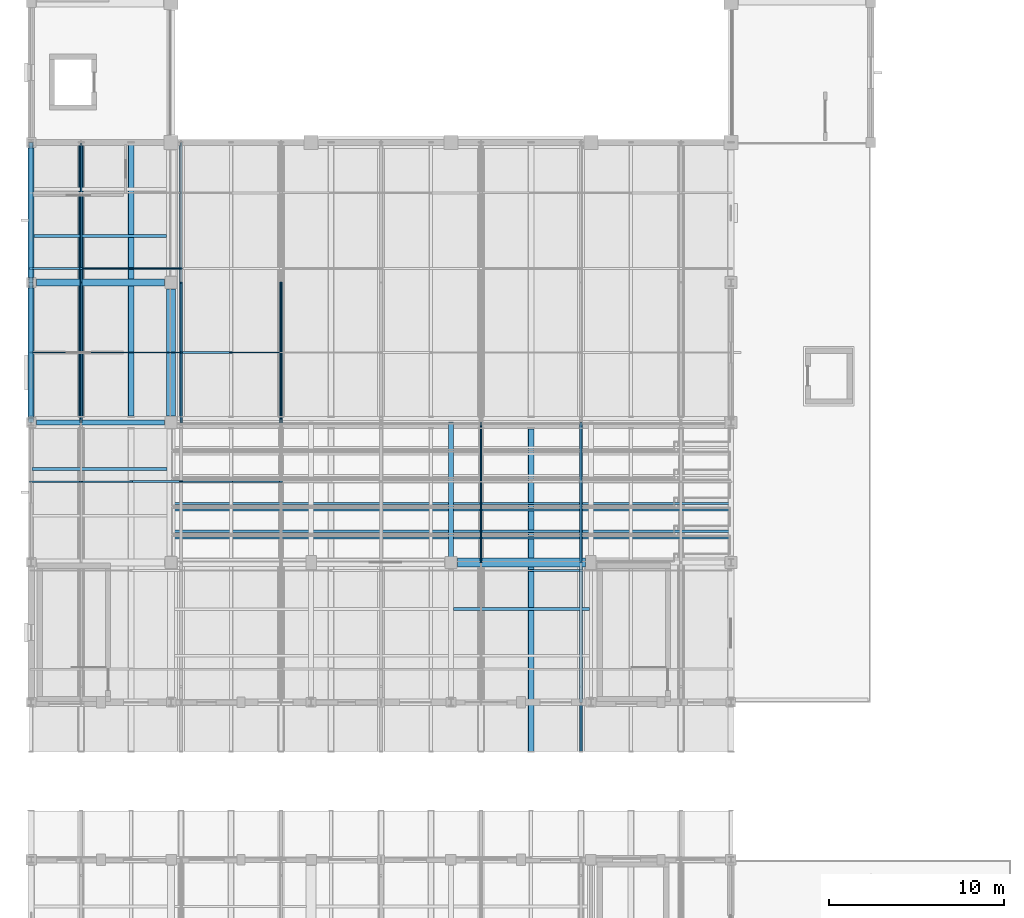
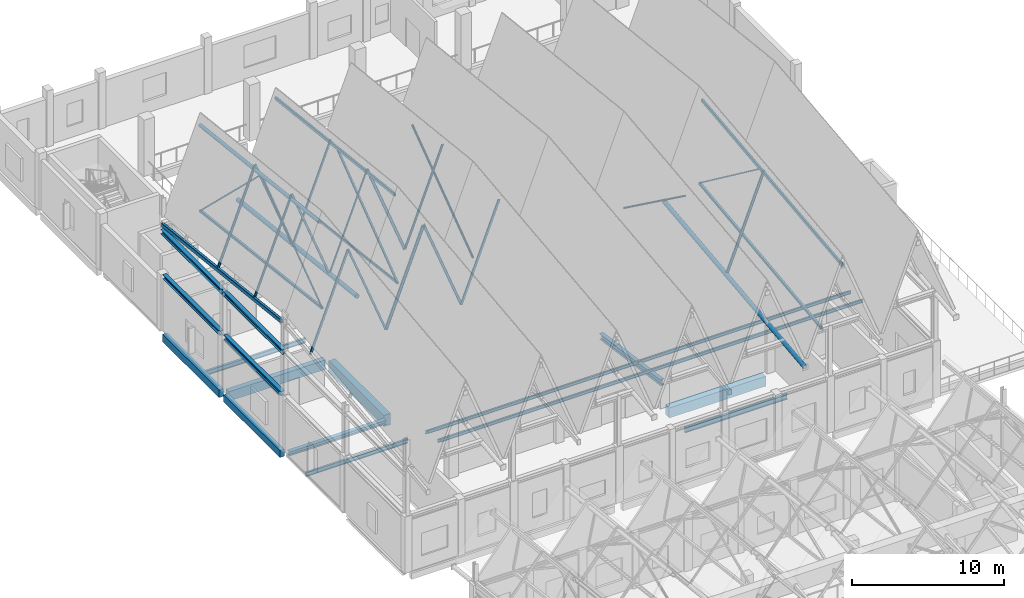
# One storey, part 16 of 77: 24 beams, 23 members.
"""IFC4 building model written with IfcOpenShell, lengths in metres."""

from ifc_helpers import new_model, si_unit, direction, frame, origin, origin_2d, place, context, subcontext, project, spatial, rectangle, hollow_rectangle, hollow_circle, i_section, extrude, material, material_profile, profile_set, type_object, element, save


model = new_model("IFC4")

# Units and contexts
model_context = context("Model", 3, precision=1e-05, world=origin(), true_north=direction((0.0, 1.0)))
body_context = subcontext(model_context, "Body", "Model", "MODEL_VIEW")
ifc_project = project(units=[si_unit("LENGTHUNIT", "METRE"), si_unit("AREAUNIT", "SQUARE_METRE"), si_unit("VOLUMEUNIT", "CUBIC_METRE"), si_unit("PLANEANGLEUNIT", "RADIAN"), si_unit("MASSUNIT", "GRAM", prefix="KILO")], contexts=[model_context])

# Site, building, storey
site_placement = place(None, origin())
site = spatial("IfcSite", under=ifc_project, at=site_placement, CompositionType="ELEMENT")
building_placement = place(site_placement, origin())
building = spatial("IfcBuilding", under=site, at=building_placement, Name="Luwemba Playhouse", CompositionType="ELEMENT")
storey_placement = place(building_placement, frame((0.0, 0.0, 9.300048828125)))
storey = spatial("IfcBuildingStorey", under=building, at=storey_placement, Name="L02", CompositionType="ELEMENT", Elevation=9.300048828125)

# Beams
ifc_material_1 = material(Name="Concrete C40/50", Category="concrete")
ifc_material_profile_1 = material_profile(ifc_material_1, rectangle(XDim=0.39990234375, YDim=0.75, at=origin_2d()))
ifc_profile_set_1 = profile_set([ifc_material_profile_1], Name="Concrete C40/50")
beam_type_1 = type_object("IfcBeamType", Name="BM-RB03", PredefinedType="BEAM", material=ifc_profile_set_1)
beam_1_placement = place(storey_placement, frame((4.300048828125, 60.0, -0.625), z_axis=(1.0, 0.0, 0.0), x_axis=(0.0, 1.0, 0.0)))
element("IfcBeam", 1, at=beam_1_placement, inside=storey, type_object=beam_type_1, Name="L02 grid girder 0652", PredefinedType="BEAM", context=body_context, shape_type="SweptSolid", body=[
    extrude(rectangle(XDim=0.39990234375, YDim=0.75, at=origin_2d()), origin(), (0.0, 0.0, 1.0), 7.324951171875),
])
ifc_material_profile_2 = material_profile(ifc_material_1, rectangle(XDim=0.5, YDim=0.800048828125, at=origin_2d()))
ifc_profile_set_2 = profile_set([ifc_material_profile_2], Name="Concrete C40/50")
beam_type_2 = type_object("IfcBeamType", Name="BM-RB06", PredefinedType="BEAM", material=ifc_profile_set_2)
beam_2_placement = place(storey_placement, frame((28.375, 44.0, -0.650146484375), z_axis=(1.0, 0.0, 0.0), x_axis=(0.0, 1.0, 0.0)))
element("IfcBeam", 2, at=beam_2_placement, inside=storey, type_object=beam_type_2, Name="L02 grid girder 0648", PredefinedType="BEAM", context=body_context, shape_type="SweptSolid", body=[
    extrude(rectangle(XDim=0.5, YDim=0.800048828125, at=origin_2d()), origin(), (0.0, 0.0, 1.0), 7.324951171875),
])
ifc_material_profile_3 = material_profile(ifc_material_1, rectangle(XDim=0.5, YDim=0.89990234375, at=origin_2d()))
ifc_profile_set_3 = profile_set([ifc_material_profile_3], Name="Concrete C40/50")
beam_type_3 = type_object("IfcBeamType", Name="BM-RB07", PredefinedType="BEAM", material=ifc_profile_set_3)
beam_3_placement = place(storey_placement, frame((12.0, 52.375, -0.699951171875), z_axis=(0.0, 1.0, 0.0), x_axis=(-1.0, 0.0, 0.0)))
element("IfcBeam", 3, at=beam_3_placement, inside=storey, type_object=beam_type_3, Name="L02 transverse girder 0660", PredefinedType="BEAM", context=body_context, shape_type="SweptSolid", body=[
    extrude(rectangle(XDim=0.5, YDim=0.89990234375, at=origin_2d()), origin(), (0.0, 0.0, 1.0), 7.25),
])
ifc_material_2 = material(Name="Steel S355", Category="steel")
ifc_material_profile_4 = material_profile(ifc_material_2, i_section(OverallWidth=0.300048828125, OverallDepth=0.449951171875, WebThickness=0.013916015625, FlangeThickness=0.02587890625, FilletRadius=0.027099609375, at=origin_2d()))
ifc_profile_set_4 = profile_set([ifc_material_profile_4], Name="Steel S355")
beam_type_4 = type_object("IfcBeamType", Name="BM-RK2", PredefinedType="USERDEFINED", material=ifc_profile_set_4)
beam_4_placement = place(storey_placement, frame((28.0, 44.0, 1.804931640625), z_axis=(0.0, 0.990343904486, -0.138632430721), x_axis=(-1.0, 0.0, 0.0)))
element("IfcBeam", 4, at=beam_4_placement, inside=storey, type_object=beam_type_4, Name="RAKER girder Upper Circle 13", ObjectType="RAKER", PredefinedType="USERDEFINED", context=body_context, shape_type="SweptSolid", body=[
    extrude(i_section(OverallWidth=0.300048828125, OverallDepth=0.449951171875, WebThickness=0.013916015625, FlangeThickness=0.02587890625, FilletRadius=0.027099609375, at=origin_2d()), origin(), (0.0, 0.0, 1.0), 8.077880859375),
])
ifc_material_profile_5 = material_profile(ifc_material_2, hollow_rectangle(XDim=0.14990234375, YDim=0.25, WallThickness=0.010009765625, InnerFilletRadius=0.014892578125, OuterFilletRadius=0.02490234375, at=origin_2d()))
ifc_profile_set_5 = profile_set([ifc_material_profile_5], Name="Steel S355")
beam_type_5 = type_object("IfcBeamType", Name="BM-RTG1", PredefinedType="USERDEFINED", material=ifc_profile_set_5)
beam_5_placement = place(storey_placement, frame((12.5712890625, 52.35009765625, 17.167724609375), z_axis=(0.0, 0.993768247759, -0.111466002643), x_axis=(-1.0, 0.0, 0.0)))
element("IfcBeam", 5, at=beam_5_placement, inside=storey, type_object=beam_type_5, Name="ROOF TRUSS ridge girder 0029", ObjectType="ROOF TRUSS", PredefinedType="USERDEFINED", context=body_context, shape_type="SweptSolid", body=[
    extrude(hollow_rectangle(XDim=0.14990234375, YDim=0.25, WallThickness=0.010009765625, InnerFilletRadius=0.014892578125, OuterFilletRadius=0.02490234375, at=origin_2d()), origin(), (0.0, 0.0, 1.0), 15.748046875),
])
beam_6_placement = place(storey_placement, frame((35.4287109375, 33.199951171875, 15.097900390625), z_axis=(0.0, 0.993767403215, 0.111473531871), x_axis=(-1.0, 0.0, 0.0)))
element("IfcBeam", 6, at=beam_6_placement, inside=storey, type_object=beam_type_5, Name="ROOF TRUSS ridge girder 0044", ObjectType="ROOF TRUSS", PredefinedType="USERDEFINED", context=body_context, shape_type="SweptSolid", body=[
    extrude(hollow_rectangle(XDim=0.14990234375, YDim=0.25, WallThickness=0.010009765625, InnerFilletRadius=0.014892578125, OuterFilletRadius=0.02490234375, at=origin_2d()), origin(), (0.0, 0.0, 1.0), 18.565673828125),
])
ifc_material_profile_6 = material_profile(ifc_material_2, hollow_rectangle(XDim=0.199951171875, YDim=0.300048828125, WallThickness=0.012451171875, InnerFilletRadius=0.018798828125, OuterFilletRadius=0.03125, at=origin_2d()))
ifc_profile_set_6 = profile_set([ifc_material_profile_6], Name="Steel S355")
beam_type_6 = type_object("IfcBeamType", Name="BM-RTG2", PredefinedType="USERDEFINED", material=ifc_profile_set_6)
beam_7_placement = place(storey_placement, frame((4.0, 52.35009765625, 10.04541015625), z_axis=(0.0, 0.993768247759, -0.111466002643), x_axis=(-1.0, 0.0, 0.0)))
element("IfcBeam", 7, at=beam_7_placement, inside=storey, type_object=beam_type_6, Name="ROOF TRUSS valley girder 0023", ObjectType="ROOF TRUSS", PredefinedType="USERDEFINED", context=body_context, shape_type="SweptSolid", body=[
    extrude(hollow_rectangle(XDim=0.199951171875, YDim=0.300048828125, WallThickness=0.012451171875, InnerFilletRadius=0.018798828125, OuterFilletRadius=0.03125, at=origin_2d()), origin(), (0.0, 0.0, 1.0), 15.748046875),
])
ifc_material_profile_7 = material_profile(ifc_material_2, hollow_circle(Radius=0.136474609375, WallThickness=0.012451171875, at=origin_2d()))
ifc_profile_set_7 = profile_set([ifc_material_profile_7], Name="Steel S355")
beam_type_7 = type_object("IfcBeamType", Name="BM-RTG3", PredefinedType="USERDEFINED", material=ifc_profile_set_7)
beam_8_placement = place(storey_placement, frame((6.857177734375, 52.35009765625, 16.996826171875), z_axis=(0.0, 0.993768247759, -0.111466002643), x_axis=(-1.0, 0.0, 0.0)))
element("IfcBeam", 8, at=beam_8_placement, inside=storey, type_object=beam_type_7, Name="ROOF TRUSS ridge girder 0025", ObjectType="ROOF TRUSS", PredefinedType="USERDEFINED", context=body_context, shape_type="SweptSolid", body=[
    extrude(hollow_circle(Radius=0.136474609375, WallThickness=0.012451171875, at=origin_2d()), origin(), (0.0, 0.0, 1.0), 15.748046875),
])
ifc_material_profile_8 = material_profile(ifc_material_2, hollow_circle(Radius=0.161865234375, WallThickness=0.01611328125, at=origin_2d()))
ifc_profile_set_8 = profile_set([ifc_material_profile_8], Name="Steel S355")
beam_type_8 = type_object("IfcBeamType", Name="BM-RTG4", PredefinedType="USERDEFINED", material=ifc_profile_set_8)
beam_9_placement = place(storey_placement, frame((9.71435546875, 52.35009765625, 10.033447265625), z_axis=(0.0, 0.993766530365, -0.111481312905), x_axis=(-1.0, 0.0, 0.0)))
element("IfcBeam", 9, at=beam_9_placement, inside=storey, type_object=beam_type_8, Name="ROOF TRUSS valley girder 0027", ObjectType="ROOF TRUSS", PredefinedType="USERDEFINED", context=body_context, shape_type="SweptSolid", body=[
    extrude(hollow_circle(Radius=0.161865234375, WallThickness=0.01611328125, at=origin_2d()), origin(), (0.0, 0.0, 1.0), 15.748046875),
])
beam_10_placement = place(storey_placement, frame((32.5712890625, 33.199951171875, 7.9638671875), z_axis=(0.0, 0.993767403215, 0.111473531871), x_axis=(-1.0, 0.0, 0.0)))
element("IfcBeam", 10, at=beam_10_placement, inside=storey, type_object=beam_type_8, Name="ROOF TRUSS valley girder 0042", ObjectType="ROOF TRUSS", PredefinedType="USERDEFINED", context=body_context, shape_type="SweptSolid", body=[
    extrude(hollow_circle(Radius=0.161865234375, WallThickness=0.01611328125, at=origin_2d()), origin(), (0.0, 0.0, 1.0), 18.565673828125),
])
ifc_material_profile_9 = material_profile(ifc_material_2, i_section(OverallWidth=0.300048828125, OverallDepth=0.330078125, WebThickness=0.009521484375, FlangeThickness=0.0166015625, FilletRadius=0.027099609375, at=origin_2d()))
ifc_profile_set_9 = profile_set([ifc_material_profile_9], Name="Steel S355")
beam_type_9 = type_object("IfcBeamType", Name="BM-SB04", PredefinedType="BEAM", material=ifc_profile_set_9)
beam_11_placement = place(storey_placement, frame((4.300048828125, 52.0, -0.4150390625), z_axis=(1.0, 0.0, 0.0), x_axis=(0.0, 1.0, 0.0)))
element("IfcBeam", 11, at=beam_11_placement, inside=storey, type_object=beam_type_9, Name="L02 grid girder 0650", PredefinedType="BEAM", context=body_context, shape_type="SweptSolid", body=[
    extrude(i_section(OverallWidth=0.300048828125, OverallDepth=0.330078125, WebThickness=0.009521484375, FlangeThickness=0.0166015625, FilletRadius=0.027099609375, at=origin_2d()), origin(), (0.0, 0.0, 1.0), 7.324951171875),
])
ifc_material_profile_10 = material_profile(ifc_material_2, i_section(OverallWidth=0.300048828125, OverallDepth=0.360107421875, WebThickness=0.012451171875, FlangeThickness=0.0224609375, FilletRadius=0.027099609375, at=origin_2d()))
ifc_profile_set_10 = profile_set([ifc_material_profile_10], Name="Steel S355")
beam_type_10 = type_object("IfcBeamType", Name="BM-SB09", PredefinedType="BEAM", material=ifc_profile_set_10)
for number, where, z_axis, x_axis, name in (
    (12, (4.0, 52.25, 4.320068359375), (0.0, 1.0, 0.0), (-1.0, 0.0, 0.0), "L02 V1 auditorium clerestory spandrel beam 03"),
    (13, (4.0, 60.25, 4.320068359375), (0.0, 1.0, 0.0), (-1.0, 0.0, 0.0), "L02 V1 auditorium clerestory spandrel beam 04"),
):
    element("IfcBeam", number, at=place(storey_placement, frame(where, z_axis=z_axis, x_axis=x_axis)), inside=storey, type_object=beam_type_10, Name=name, PredefinedType="BEAM", context=body_context, shape_type="SweptSolid", body=[
        extrude(i_section(OverallWidth=0.300048828125, OverallDepth=0.360107421875, WebThickness=0.012451171875, FlangeThickness=0.0224609375, FilletRadius=0.027099609375, at=origin_2d()), origin(), (0.0, 0.0, 1.0), 7.5),
    ])
for number, where, z_axis, x_axis, name in (
    (14, (4.0, 52.0, 7.780029296875), (0.0, 1.0, 0.0), (-1.0, 0.0, 0.0), "RF-V1 gable ring beam 0013"),
    (15, (4.0, 60.0, 7.780029296875), (0.0, 1.0, 0.0), (-1.0, 0.0, 0.0), "RF-V1 gable ring beam 0014"),
):
    element("IfcBeam", number, at=place(storey_placement, frame(where, z_axis=z_axis, x_axis=x_axis)), inside=storey, type_object=beam_type_10, Name=name, PredefinedType="BEAM", context=body_context, shape_type="SweptSolid", body=[
        extrude(i_section(OverallWidth=0.300048828125, OverallDepth=0.360107421875, WebThickness=0.012451171875, FlangeThickness=0.0224609375, FilletRadius=0.027099609375, at=origin_2d()), origin(), (0.0, 0.0, 1.0), 8.0),
    ])
ifc_material_profile_11 = material_profile(ifc_material_2, i_section(OverallWidth=0.1201171875, OverallDepth=0.239990234375, WebThickness=0.006103515625, FlangeThickness=0.009765625, FilletRadius=0.014892578125, at=origin_2d()))
ifc_profile_set_11 = profile_set([ifc_material_profile_11], Name="Steel S355")
beam_type_11 = type_object("IfcBeamType", Name="BM-SJ03", PredefinedType="JOIST", material=ifc_profile_set_11)
for number, where, z_axis, x_axis, name in (
    (16, (12.0, 45.39990234375, 1.905029296875), (1.0, 0.0, 0.0), (0.0, 1.0, 0.0), "Stand Upper Circle step bearer 13-2"),
    (17, (12.0, 45.780029296875, 1.625), (1.0, 0.0, 0.0), (0.0, 1.0, 0.0), "Stand Upper Circle step bearer 14-1"),
    (18, (12.0, 47.0, 1.625), (1.0, 0.0, 0.0), (0.0, 1.0, 0.0), "Stand Upper Circle step bearer 14-2"),
    (19, (12.0, 47.3798828125, 1.344970703125), (1.0, 0.0, 0.0), (0.0, 1.0, 0.0), "Stand Upper Circle step bearer 15-1"),
):
    element("IfcBeam", number, at=place(storey_placement, frame(where, z_axis=z_axis, x_axis=x_axis)), inside=storey, type_object=beam_type_11, Name=name, PredefinedType="JOIST", context=body_context, shape_type="SweptSolid", body=[
        extrude(i_section(OverallWidth=0.1201171875, OverallDepth=0.239990234375, WebThickness=0.006103515625, FlangeThickness=0.009765625, FilletRadius=0.014892578125, at=origin_2d()), origin(), (0.0, 0.0, 1.0), 32.0),
    ])
ifc_material_profile_12 = material_profile(ifc_material_2, i_section(OverallWidth=0.159912109375, OverallDepth=0.330078125, WebThickness=0.007568359375, FlangeThickness=0.011474609375, FilletRadius=0.01806640625, at=origin_2d()))
ifc_profile_set_12 = profile_set([ifc_material_profile_12], Name="Steel S355")
beam_type_12 = type_object("IfcBeamType", Name="BM-SJ06", PredefinedType="JOIST", material=ifc_profile_set_12)
beam_12_placement = place(storey_placement, frame((4.0458984375, 49.333251953125, -0.4150390625), z_axis=(1.0, 0.0, 0.0), x_axis=(0.0, 1.0, 0.0)))
element("IfcBeam", 20, at=beam_12_placement, inside=storey, type_object=beam_type_12, Name="L02 composite floor joist 0390", PredefinedType="JOIST", context=body_context, shape_type="SweptSolid", body=[
    extrude(i_section(OverallWidth=0.159912109375, OverallDepth=0.330078125, WebThickness=0.007568359375, FlangeThickness=0.011474609375, FilletRadius=0.01806640625, at=origin_2d()), origin(), (0.0, 0.0, 1.0), 7.733154296875),
])
ifc_material_profile_13 = material_profile(ifc_material_2, i_section(OverallWidth=0.169921875, OverallDepth=0.360107421875, WebThickness=0.008056640625, FlangeThickness=0.0126953125, FilletRadius=0.01806640625, at=origin_2d()))
ifc_profile_set_13 = profile_set([ifc_material_profile_13], Name="Steel S355")
beam_type_13 = type_object("IfcBeamType", Name="BM-SJ07", PredefinedType="JOIST", material=ifc_profile_set_13)
beam_13_placement = place(storey_placement, frame((4.1708984375, 62.666748046875, -0.429931640625), z_axis=(1.0, 0.0, 0.0), x_axis=(0.0, 1.0, 0.0)))
element("IfcBeam", 21, at=beam_13_placement, inside=storey, type_object=beam_type_13, Name="L02 composite floor joist 0391", PredefinedType="JOIST", context=body_context, shape_type="SweptSolid", body=[
    extrude(i_section(OverallWidth=0.169921875, OverallDepth=0.360107421875, WebThickness=0.008056640625, FlangeThickness=0.0126953125, FilletRadius=0.01806640625, at=origin_2d()), origin(), (0.0, 0.0, 1.0), 7.55810546875),
])
ifc_material_profile_14 = material_profile(ifc_material_2, i_section(OverallWidth=0.179931640625, OverallDepth=0.39990234375, WebThickness=0.008544921875, FlangeThickness=0.013427734375, FilletRadius=0.02099609375, at=origin_2d()))
ifc_profile_set_14 = profile_set([ifc_material_profile_14], Name="Steel S355")
beam_type_14 = type_object("IfcBeamType", Name="BM-SJ08", PredefinedType="JOIST", material=ifc_profile_set_14)
beam_14_placement = place(storey_placement, frame((28.14599609375, 41.333251953125, -0.449951171875), z_axis=(1.0, 0.0, 0.0), x_axis=(0.0, 1.0, 0.0)))
element("IfcBeam", 22, at=beam_14_placement, inside=storey, type_object=beam_type_14, Name="L02 composite floor joist 0398", PredefinedType="JOIST", context=body_context, shape_type="SweptSolid", body=[
    extrude(i_section(OverallWidth=0.179931640625, OverallDepth=0.39990234375, WebThickness=0.008544921875, FlangeThickness=0.013427734375, FilletRadius=0.02099609375, at=origin_2d()), origin(), (0.0, 0.0, 1.0), 7.762939453125),
])
ifc_material_profile_15 = material_profile(ifc_material_1, rectangle(XDim=0.35009765625, YDim=0.550048828125, at=origin_2d()))
ifc_profile_set_15 = profile_set([ifc_material_profile_15], Name="Concrete C40/50")
beam_type_15 = type_object("IfcBeamType", Name="BM-SP2", PredefinedType="SPANDREL", material=ifc_profile_set_15)
beam_15_placement = place(storey_placement, frame((4.0, 52.300048828125, -0.525146484375), z_axis=(0.0, 1.0, 0.0), x_axis=(-1.0, 0.0, 0.0)))
element("IfcBeam", 23, at=beam_15_placement, inside=storey, type_object=beam_type_15, Name="L02 transverse girder 0656", PredefinedType="SPANDREL", context=body_context, shape_type="SweptSolid", body=[
    extrude(rectangle(XDim=0.35009765625, YDim=0.550048828125, at=origin_2d()), origin(), (0.0, 0.0, 1.0), 7.39990234375),
])
ifc_material_profile_16 = material_profile(ifc_material_1, rectangle(XDim=0.35009765625, YDim=0.60009765625, at=origin_2d()))
ifc_profile_set_16 = profile_set([ifc_material_profile_16], Name="Concrete C40/50")
beam_type_16 = type_object("IfcBeamType", Name="BM-SP3", PredefinedType="SPANDREL", material=ifc_profile_set_16)
beam_16_placement = place(storey_placement, frame((4.0, 60.300048828125, -0.550048828125), z_axis=(0.0, 1.0, 0.0), x_axis=(-1.0, 0.0, 0.0)))
element("IfcBeam", 24, at=beam_16_placement, inside=storey, type_object=beam_type_16, Name="L02 transverse girder 0657", PredefinedType="SPANDREL", context=body_context, shape_type="SweptSolid", body=[
    extrude(rectangle(XDim=0.35009765625, YDim=0.60009765625, at=origin_2d()), origin(), (0.0, 0.0, 1.0), 7.39990234375),
])

# Members
ifc_material_profile_17 = material_profile(ifc_material_2, hollow_circle(Radius=0.06982421875, WallThickness=0.008056640625, at=origin_2d()))
ifc_profile_set_17 = profile_set([ifc_material_profile_17], Name="Steel S355")
member_type_1 = type_object("IfcMemberType", Name="MEM-MB01", PredefinedType="BRACE", material=ifc_profile_set_17)
member_1_placement = place(storey_placement, frame((29.71435546875, 52.0, 10.314697265625), z_axis=(0.0, -0.8084575316, 0.5885545171), x_axis=(1.0, 0.0, 0.0)))
element("IfcMember", 25, at=member_1_placement, inside=storey, type_object=member_type_1, Name="ROOF TRUSS web diagonal 0028", PredefinedType="BRACE", context=body_context, shape_type="SweptSolid", body=[
    extrude(hollow_circle(Radius=0.06982421875, WallThickness=0.008056640625, at=origin_2d()), origin(), (0.0, 0.0, 1.0), 9.8955078125),
])
ifc_material_profile_18 = material_profile(ifc_material_2, hollow_circle(Radius=0.084228515625, WallThickness=0.008056640625, at=origin_2d()))
ifc_profile_set_18 = profile_set([ifc_material_profile_18], Name="Steel S355")
member_type_2 = type_object("IfcMemberType", Name="MEM-MB02", PredefinedType="BRACE", material=ifc_profile_set_18)
member_2_placement = place(storey_placement, frame((18.28564453125, 52.0, 10.314697265625), z_axis=(0.0, 0.8084575316, 0.5885545171), x_axis=(-1.0, 0.0, 0.0)))
element("IfcMember", 26, at=member_2_placement, inside=storey, type_object=member_type_2, Name="ROOF TRUSS web diagonal 0017", PredefinedType="BRACE", context=body_context, shape_type="SweptSolid", body=[
    extrude(hollow_circle(Radius=0.084228515625, WallThickness=0.008056640625, at=origin_2d()), origin(), (0.0, 0.0, 1.0), 9.8955078125),
])
ifc_material_profile_19 = material_profile(ifc_material_2, hollow_rectangle(XDim=0.10009765625, YDim=0.10009765625, WallThickness=0.00634765625, InnerFilletRadius=0.009521484375, OuterFilletRadius=0.015869140625, at=origin_2d()))
ifc_profile_set_19 = profile_set([ifc_material_profile_19], Name="Steel S355")
member_type_3 = type_object("IfcMemberType", Name="MEM-MB05", PredefinedType="BRACE", material=ifc_profile_set_19)
member_3_placement = place(storey_placement, frame((6.857177734375, 52.0, 10.314697265625), z_axis=(0.0, 0.8084575316, 0.5885545171), x_axis=(-1.0, 0.0, 0.0)))
element("IfcMember", 27, at=member_3_placement, inside=storey, type_object=member_type_3, Name="ROOF TRUSS web diagonal 0005", PredefinedType="BRACE", context=body_context, shape_type="SweptSolid", body=[
    extrude(hollow_rectangle(XDim=0.10009765625, YDim=0.10009765625, WallThickness=0.00634765625, InnerFilletRadius=0.009521484375, OuterFilletRadius=0.015869140625, at=origin_2d()), origin(), (0.0, 0.0, 1.0), 9.8955078125),
])
member_4_placement = place(storey_placement, frame((6.857177734375, 68.0, 8.39990234375), z_axis=(0.0, -0.718744269729, 0.695274531917), x_axis=(1.0, 0.0, 0.0)))
element("IfcMember", 28, at=member_4_placement, inside=storey, type_object=member_type_3, Name="ROOF TRUSS web diagonal 0006", PredefinedType="BRACE", context=body_context, shape_type="SweptSolid", body=[
    extrude(hollow_rectangle(XDim=0.10009765625, YDim=0.10009765625, WallThickness=0.00634765625, InnerFilletRadius=0.009521484375, OuterFilletRadius=0.015869140625, at=origin_2d()), origin(), (0.0, 0.0, 1.0), 11.130615234375),
])
member_5_placement = place(storey_placement, frame((35.4287109375, 52.0, 10.314697265625), z_axis=(0.0, -0.800246102123, 0.59967172356), x_axis=(1.0, 0.0, 0.0)))
element("IfcMember", 29, at=member_5_placement, inside=storey, type_object=member_type_3, Name="ROOF TRUSS web diagonal 0034", PredefinedType="BRACE", context=body_context, shape_type="SweptSolid", body=[
    extrude(hollow_rectangle(XDim=0.10009765625, YDim=0.10009765625, WallThickness=0.00634765625, InnerFilletRadius=0.009521484375, OuterFilletRadius=0.015869140625, at=origin_2d()), origin(), (0.0, 0.0, 1.0), 9.996826171875),
])
ifc_material_profile_20 = material_profile(ifc_material_2, hollow_rectangle(XDim=0.139892578125, YDim=0.139892578125, WallThickness=0.008056640625, InnerFilletRadius=0.011962890625, OuterFilletRadius=0.02001953125, at=origin_2d()))
ifc_profile_set_20 = profile_set([ifc_material_profile_20], Name="Steel S355")
member_type_4 = type_object("IfcMemberType", Name="MEM-MB07", PredefinedType="BRACE", material=ifc_profile_set_20)
member_6_placement = place(storey_placement, frame((12.5712890625, 52.0, 10.314697265625), z_axis=(0.0, 0.800246102123, 0.59967172356), x_axis=(-1.0, 0.0, 0.0)))
element("IfcMember", 30, at=member_6_placement, inside=storey, type_object=member_type_4, Name="ROOF TRUSS web diagonal 0011", PredefinedType="BRACE", context=body_context, shape_type="SweptSolid", body=[
    extrude(hollow_rectangle(XDim=0.139892578125, YDim=0.139892578125, WallThickness=0.008056640625, InnerFilletRadius=0.011962890625, OuterFilletRadius=0.02001953125, at=origin_2d()), origin(), (0.0, 0.0, 1.0), 9.996826171875),
])
ifc_material_profile_21 = material_profile(ifc_material_2, hollow_rectangle(XDim=0.179931640625, YDim=0.179931640625, WallThickness=0.010009765625, InnerFilletRadius=0.014892578125, OuterFilletRadius=0.02490234375, at=origin_2d()))
ifc_profile_set_21 = profile_set([ifc_material_profile_21], Name="Steel S355")
member_type_5 = type_object("IfcMemberType", Name="MEM-MC03", PredefinedType="CHORD", material=ifc_profile_set_21)
for number, where, z_axis, x_axis, name in (
    (31, (6.857177734375, 52.0, 10.314697265625), (0.0, 0.992914998684, -0.118826787333), (-1.0, 0.0, 0.0), "ROOF TRUSS north bottom chord 0002"),
    (32, (35.4287109375, 36.0, 8.39990234375), (0.0, 0.992914998684, 0.118826787333), (-1.0, 0.0, 0.0), "ROOF TRUSS south bottom chord 0031"),
):
    element("IfcMember", number, at=place(storey_placement, frame(where, z_axis=z_axis, x_axis=x_axis)), inside=storey, type_object=member_type_5, Name=name, PredefinedType="CHORD", context=body_context, shape_type="SweptSolid", body=[
        extrude(hollow_rectangle(XDim=0.179931640625, YDim=0.179931640625, WallThickness=0.010009765625, InnerFilletRadius=0.014892578125, OuterFilletRadius=0.02490234375, at=origin_2d()), origin(), (0.0, 0.0, 1.0), 16.1142578125),
    ])
ifc_material_profile_22 = material_profile(ifc_material_2, hollow_rectangle(XDim=0.1201171875, YDim=0.199951171875, WallThickness=0.010009765625, InnerFilletRadius=0.014892578125, OuterFilletRadius=0.02490234375, at=origin_2d()))
ifc_profile_set_22 = profile_set([ifc_material_profile_22], Name="Steel S355")
member_type_6 = type_object("IfcMemberType", Name="MEM-MC05", PredefinedType="CHORD", material=ifc_profile_set_22)
member_7_placement = place(storey_placement, frame((12.5712890625, 52.0, 10.314697265625), z_axis=(0.0, 0.992914998684, -0.118826787333), x_axis=(-1.0, 0.0, 0.0)))
element("IfcMember", 33, at=member_7_placement, inside=storey, type_object=member_type_6, Name="ROOF TRUSS north bottom chord 0008", PredefinedType="CHORD", context=body_context, shape_type="SweptSolid", body=[
    extrude(hollow_rectangle(XDim=0.1201171875, YDim=0.199951171875, WallThickness=0.010009765625, InnerFilletRadius=0.014892578125, OuterFilletRadius=0.02490234375, at=origin_2d()), origin(), (0.0, 0.0, 1.0), 16.1142578125),
])
ifc_material_profile_23 = material_profile(ifc_material_2, hollow_rectangle(XDim=0.080078125, YDim=0.1201171875, WallThickness=0.00634765625, InnerFilletRadius=0.009521484375, OuterFilletRadius=0.015869140625, at=origin_2d()))
ifc_profile_set_23 = profile_set([ifc_material_profile_23], Name="Steel S355")
member_type_7 = type_object("IfcMemberType", Name="MEM-MP01", PredefinedType="PURLIN", material=ifc_profile_set_23)
member_8_placement = place(storey_placement, frame((9.71435546875, 56.0, 9.62744140625), z_axis=(0.359949717536, 0.0, 0.932971704204), x_axis=(0.0, 1.0, 0.0)))
element("IfcMember", 34, at=member_8_placement, inside=storey, type_object=member_type_7, Name="Pleated roof purlin 0016", PredefinedType="PURLIN", context=body_context, shape_type="SweptSolid", body=[
    extrude(hollow_rectangle(XDim=0.080078125, YDim=0.1201171875, WallThickness=0.00634765625, InnerFilletRadius=0.009521484375, OuterFilletRadius=0.015869140625, at=origin_2d()), origin(), (0.0, 0.0, 1.0), 7.93701171875),
])
ifc_material_profile_24 = material_profile(ifc_material_2, hollow_rectangle(XDim=0.10009765625, YDim=0.14990234375, WallThickness=0.008056640625, InnerFilletRadius=0.011962890625, OuterFilletRadius=0.02001953125, at=origin_2d()))
ifc_profile_set_24 = profile_set([ifc_material_profile_24], Name="Steel S355")
member_type_8 = type_object("IfcMemberType", Name="MEM-MP02", PredefinedType="PURLIN", material=ifc_profile_set_24)
member_9_placement = place(storey_placement, frame((6.857177734375, 48.615966796875, 17.060791015625), z_axis=(0.359966161358, 0.0, -0.932965359849), x_axis=(0.0, 1.0, 0.0)))
element("IfcMember", 35, at=member_9_placement, inside=storey, type_object=member_type_8, Name="Pleated roof purlin 0009", PredefinedType="PURLIN", context=body_context, shape_type="SweptSolid", body=[
    extrude(hollow_rectangle(XDim=0.10009765625, YDim=0.14990234375, WallThickness=0.008056640625, InnerFilletRadius=0.011962890625, OuterFilletRadius=0.02001953125, at=origin_2d()), origin(), (0.0, 0.0, 1.0), 7.937255859375),
])
member_10_placement = place(storey_placement, frame((9.71435546875, 60.800048828125, 9.048095703125), z_axis=(0.359949717536, 0.0, 0.932971704204), x_axis=(0.0, 1.0, 0.0)))
element("IfcMember", 36, at=member_10_placement, inside=storey, type_object=member_type_8, Name="Pleated roof purlin 0017", PredefinedType="PURLIN", context=body_context, shape_type="SweptSolid", body=[
    extrude(hollow_rectangle(XDim=0.10009765625, YDim=0.14990234375, WallThickness=0.008056640625, InnerFilletRadius=0.011962890625, OuterFilletRadius=0.02001953125, at=origin_2d()), origin(), (0.0, 0.0, 1.0), 7.93701171875),
])
ifc_material_profile_25 = material_profile(ifc_material_2, hollow_rectangle(XDim=0.080078125, YDim=0.159912109375, WallThickness=0.00634765625, InnerFilletRadius=0.009521484375, OuterFilletRadius=0.015869140625, at=origin_2d()))
ifc_profile_set_25 = profile_set([ifc_material_profile_25], Name="Steel S355")
member_type_9 = type_object("IfcMemberType", Name="MEM-MP03", PredefinedType="PURLIN", material=ifc_profile_set_25)
member_11_placement = place(storey_placement, frame((6.857177734375, 56.0, 17.0126953125), z_axis=(0.359955831838, 0.0, -0.932969345223), x_axis=(0.0, 1.0, 0.0)))
element("IfcMember", 37, at=member_11_placement, inside=storey, type_object=member_type_9, Name="Pleated roof purlin 0010", PredefinedType="PURLIN", context=body_context, shape_type="SweptSolid", body=[
    extrude(hollow_rectangle(XDim=0.080078125, YDim=0.159912109375, WallThickness=0.00634765625, InnerFilletRadius=0.009521484375, OuterFilletRadius=0.015869140625, at=origin_2d()), origin(), (0.0, 0.0, 1.0), 7.9375),
])
ifc_material_profile_26 = material_profile(ifc_material_2, hollow_rectangle(XDim=0.10009765625, YDim=0.179931640625, WallThickness=0.008056640625, InnerFilletRadius=0.011962890625, OuterFilletRadius=0.02001953125, at=origin_2d()))
ifc_profile_set_26 = profile_set([ifc_material_profile_26], Name="Steel S355")
member_type_10 = type_object("IfcMemberType", Name="MEM-MP04", PredefinedType="PURLIN", material=ifc_profile_set_26)
for number, where, z_axis, x_axis, name in (
    (38, (4.0, 48.615966796875, 9.640380859375), (0.359966161358, 0.0, 0.932965359849), (0.0, 1.0, 0.0), "Pleated roof purlin 0003"),
    (39, (6.857177734375, 60.800048828125, 16.438232421875), (0.359966161358, 0.0, -0.932965359849), (0.0, 1.0, 0.0), "Pleated roof purlin 0011"),
):
    element("IfcMember", number, at=place(storey_placement, frame(where, z_axis=z_axis, x_axis=x_axis)), inside=storey, type_object=member_type_10, Name=name, PredefinedType="PURLIN", context=body_context, shape_type="SweptSolid", body=[
        extrude(hollow_rectangle(XDim=0.10009765625, YDim=0.179931640625, WallThickness=0.008056640625, InnerFilletRadius=0.011962890625, OuterFilletRadius=0.02001953125, at=origin_2d()), origin(), (0.0, 0.0, 1.0), 7.937255859375),
    ])
member_12_placement = place(storey_placement, frame((15.4287109375, 48.615966796875, 9.640625), z_axis=(0.359949717536, 0.0, 0.932971704204), x_axis=(0.0, 1.0, 0.0)))
element("IfcMember", 40, at=member_12_placement, inside=storey, type_object=member_type_10, Name="Pleated roof purlin 0027", PredefinedType="PURLIN", context=body_context, shape_type="SweptSolid", body=[
    extrude(hollow_rectangle(XDim=0.10009765625, YDim=0.179931640625, WallThickness=0.008056640625, InnerFilletRadius=0.011962890625, OuterFilletRadius=0.02001953125, at=origin_2d()), origin(), (0.0, 0.0, 1.0), 7.93701171875),
])
ifc_material_profile_27 = material_profile(ifc_material_2, i_section(OverallWidth=0.08203125, OverallDepth=0.159912109375, WebThickness=0.0048828125, FlangeThickness=0.00732421875, FilletRadius=0.009033203125, at=origin_2d()))
ifc_profile_set_27 = profile_set([ifc_material_profile_27], Name="Steel S355")
member_type_11 = type_object("IfcMemberType", Name="MEM-MP05", PredefinedType="PURLIN", material=ifc_profile_set_27)
member_13_placement = place(storey_placement, frame((4.0, 56.0, 9.604736328125), z_axis=(0.359976491426, 0.0, 0.932961374131), x_axis=(0.0, 1.0, 0.0)))
element("IfcMember", 41, at=member_13_placement, inside=storey, type_object=member_type_11, Name="Pleated roof purlin 0004", PredefinedType="PURLIN", context=body_context, shape_type="SweptSolid", body=[
    extrude(i_section(OverallWidth=0.08203125, OverallDepth=0.159912109375, WebThickness=0.0048828125, FlangeThickness=0.00732421875, FilletRadius=0.009033203125, at=origin_2d()), origin(), (0.0, 0.0, 1.0), 7.93701171875),
])
member_14_placement = place(storey_placement, frame((15.4287109375, 56.0, 9.604736328125), z_axis=(0.359939388007, 0.0, 0.932975689373), x_axis=(0.0, 1.0, 0.0)))
element("IfcMember", 42, at=member_14_placement, inside=storey, type_object=member_type_11, Name="Pleated roof purlin 0028", PredefinedType="PURLIN", context=body_context, shape_type="SweptSolid", body=[
    extrude(i_section(OverallWidth=0.08203125, OverallDepth=0.159912109375, WebThickness=0.0048828125, FlangeThickness=0.00732421875, FilletRadius=0.009033203125, at=origin_2d()), origin(), (0.0, 0.0, 1.0), 7.937255859375),
])
ifc_material_profile_28 = material_profile(ifc_material_2, i_section(OverallWidth=0.091064453125, OverallDepth=0.179931640625, WebThickness=0.00537109375, FlangeThickness=0.008056640625, FilletRadius=0.009033203125, at=origin_2d()))
ifc_profile_set_28 = profile_set([ifc_material_profile_28], Name="Steel S355")
member_type_12 = type_object("IfcMemberType", Name="MEM-MP06", PredefinedType="PURLIN", material=ifc_profile_set_28)
member_15_placement = place(storey_placement, frame((4.0, 60.800048828125, 9.044677734375), z_axis=(0.359966161358, 0.0, 0.932965359849), x_axis=(0.0, 1.0, 0.0)))
element("IfcMember", 43, at=member_15_placement, inside=storey, type_object=member_type_12, Name="Pleated roof purlin 0005", PredefinedType="PURLIN", context=body_context, shape_type="SweptSolid", body=[
    extrude(i_section(OverallWidth=0.091064453125, OverallDepth=0.179931640625, WebThickness=0.00537109375, FlangeThickness=0.008056640625, FilletRadius=0.009033203125, at=origin_2d()), origin(), (0.0, 0.0, 1.0), 7.937255859375),
])
member_16_placement = place(storey_placement, frame((12.5712890625, 48.615966796875, 17.0576171875), z_axis=(0.35998260376, 0.0, -0.932959015708), x_axis=(0.0, 1.0, 0.0)))
element("IfcMember", 44, at=member_16_placement, inside=storey, type_object=member_type_12, Name="Pleated roof purlin 0021", PredefinedType="PURLIN", context=body_context, shape_type="SweptSolid", body=[
    extrude(i_section(OverallWidth=0.091064453125, OverallDepth=0.179931640625, WebThickness=0.00537109375, FlangeThickness=0.008056640625, FilletRadius=0.009033203125, at=origin_2d()), origin(), (0.0, 0.0, 1.0), 7.937744140625),
])
ifc_material_profile_29 = material_profile(ifc_material_2, i_section(OverallWidth=0.10009765625, OverallDepth=0.199951171875, WebThickness=0.005615234375, FlangeThickness=0.008544921875, FilletRadius=0.011962890625, at=origin_2d()))
ifc_profile_set_29 = profile_set([ifc_material_profile_29], Name="Steel S355")
member_type_13 = type_object("IfcMemberType", Name="MEM-MP07", PredefinedType="PURLIN", material=ifc_profile_set_29)
for number, where, z_axis, x_axis, name in (
    (45, (12.5712890625, 56.0, 16.966796875), (0.35998260376, 0.0, -0.932959015708), (0.0, 1.0, 0.0), "Pleated roof purlin 0022"),
    (46, (32.5712890625, 43.5400390625, 9.06103515625), (0.35998260376, 0.0, 0.932959015708), (0.0, 1.0, 0.0), "Pleated roof purlin 0062"),
):
    element("IfcMember", number, at=place(storey_placement, frame(where, z_axis=z_axis, x_axis=x_axis)), inside=storey, type_object=member_type_13, Name=name, PredefinedType="PURLIN", context=body_context, shape_type="SweptSolid", body=[
        extrude(i_section(OverallWidth=0.10009765625, OverallDepth=0.199951171875, WebThickness=0.005615234375, FlangeThickness=0.008544921875, FilletRadius=0.011962890625, at=origin_2d()), origin(), (0.0, 0.0, 1.0), 7.937744140625),
    ])
ifc_material_profile_30 = material_profile(ifc_material_2, i_section(OverallWidth=0.110107421875, OverallDepth=0.219970703125, WebThickness=0.005859375, FlangeThickness=0.00927734375, FilletRadius=0.011962890625, at=origin_2d()))
ifc_profile_set_30 = profile_set([ifc_material_profile_30], Name="Steel S355")
member_type_14 = type_object("IfcMemberType", Name="MEM-MP08", PredefinedType="PURLIN", material=ifc_profile_set_30)
member_17_placement = place(storey_placement, frame((9.71435546875, 48.615966796875, 9.607666015625), z_axis=(0.359949717536, 0.0, 0.932971704204), x_axis=(0.0, 1.0, 0.0)))
element("IfcMember", 47, at=member_17_placement, inside=storey, type_object=member_type_14, Name="Pleated roof purlin 0015", PredefinedType="PURLIN", context=body_context, shape_type="SweptSolid", body=[
    extrude(i_section(OverallWidth=0.110107421875, OverallDepth=0.219970703125, WebThickness=0.005859375, FlangeThickness=0.00927734375, FilletRadius=0.011962890625, at=origin_2d()), origin(), (0.0, 0.0, 1.0), 7.93701171875),
])

save(model, "model.ifc")
